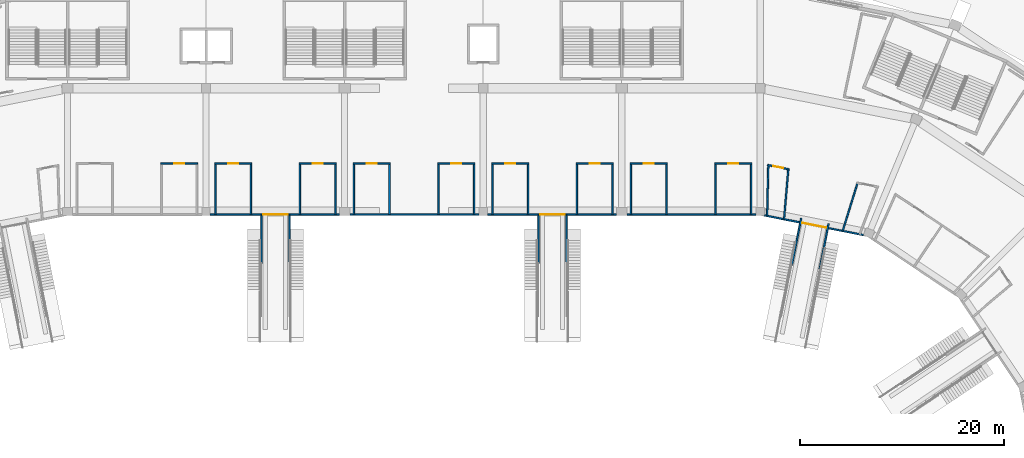
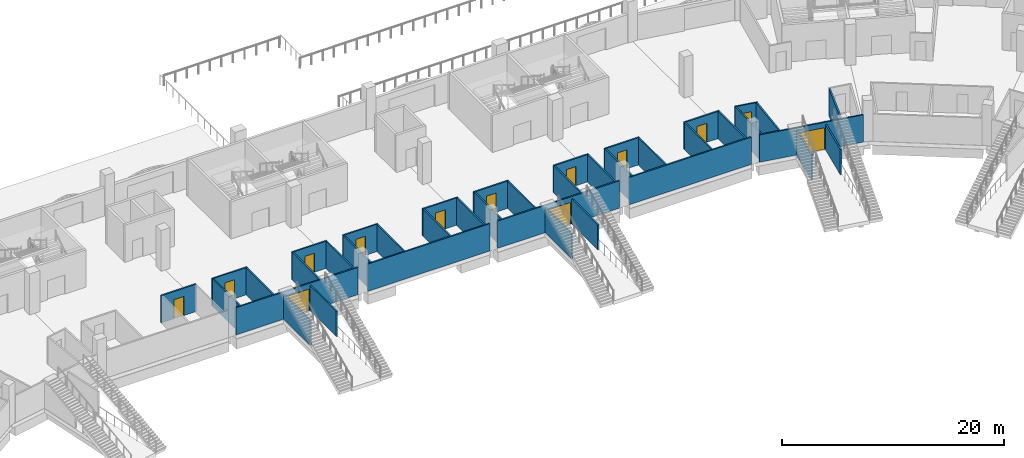
# One storey, part 38 of 175: 40 walls, 13 doors, 13 openings.
"""IFC4 building model written with IfcOpenShell, lengths in metres."""

import ifcopenshell
import ifcopenshell.guid

model = None  # the IFC model being written
_history = None  # IfcOwnerHistory: only IFC2X3 demands one
_inside = {}  # id of a spatial element -> (the spatial element, [elements in it])
_under = {}  # id of a project, library or spatial element -> (it, [spatial elements below it])
_declared = {}  # id of a project -> (the project, [libraries it declares])
_typed = {}  # id of a type object -> (the type object, [elements of that type])
_made_of = {}  # id of a material, layer set ... -> (it, [elements and type objects made of it])


def new_model(schema):
    """Start an empty IFC model of exactly this schema.

    Asked for "IFC4X3", IfcOpenShell would pick the latest addendum, in which some entities
    have other attributes; the version numbers below select the first issue.
    IFC2X3 requires an IfcOwnerHistory on every rooted entity: one is made here for all.
    """
    global model, _history
    if schema == "IFC4X3":
        model = ifcopenshell.file(schema_version=(4, 3, 0, 0))
    else:
        model = ifcopenshell.file(schema=schema)
    _inside.clear()
    _under.clear()
    _declared.clear()
    _typed.clear()
    _made_of.clear()
    _history = None
    if model.schema == "IFC2X3":
        org = make("IfcOrganization", Name="unknown")
        user = make(
            "IfcPersonAndOrganization",
            ThePerson=make("IfcPerson", FamilyName="unknown"),
            TheOrganization=org,
        )
        app = make(
            "IfcApplication",
            ApplicationDeveloper=org,
            Version="unknown",
            ApplicationFullName="unknown",
            ApplicationIdentifier="unknown",
        )
        _history = make(
            "IfcOwnerHistory",
            OwningUser=user,
            OwningApplication=app,
            ChangeAction="ADDED",
            CreationDate=0,
        )
    return model


def make(cls, **values):
    """One entity of the class cls with the attributes given. An attribute that is None is left unset."""
    return model.create_entity(
        cls, **{name: value for name, value in values.items() if value is not None}
    )


def rooted(cls, **values):
    """An entity with a GlobalId (a new one), such as an element, a storey or a relation."""
    return make(cls, GlobalId=ifcopenshell.guid.new(), OwnerHistory=_history, **values)


def si_unit(unit_type, name, prefix=None):
    """IfcSIUnit, for example si_unit("LENGTHUNIT", "METRE", prefix="MILLI")."""
    return make("IfcSIUnit", UnitType=unit_type, Prefix=prefix, Name=name)


def assignment(units):
    """IfcUnitAssignment: the units of a project."""
    return None if units is None else make("IfcUnitAssignment", Units=units)


def point(xyz):
    """IfcCartesianPoint."""
    return None if xyz is None else make("IfcCartesianPoint", Coordinates=xyz)


def direction(xyz):
    """IfcDirection."""
    return None if xyz is None else make("IfcDirection", DirectionRatios=xyz)


def frame(location, z_axis=None, x_axis=None):
    """IfcAxis2Placement3D, a coordinate frame: its origin and axes. An axis left out is left unset."""
    return make(
        "IfcAxis2Placement3D",
        Location=point(location),
        Axis=direction(z_axis),
        RefDirection=direction(x_axis),
    )


def frame_2d(location, x_axis=None):
    """IfcAxis2Placement2D, a coordinate frame in the plane: its origin and x axis."""
    return make(
        "IfcAxis2Placement2D", Location=point(location), RefDirection=direction(x_axis)
    )


def origin():
    """The frame at (0, 0, 0) with its axes left unset."""
    return frame((0.0, 0.0, 0.0))


def place(relative_to, where):
    """IfcLocalPlacement: puts the frame where relative to a parent placement (None: the world)."""
    return make(
        "IfcLocalPlacement", PlacementRelTo=relative_to, RelativePlacement=where
    )


def context(
    kind, dimensions, precision=None, world=None, true_north=None, identifier=None
):
    """IfcGeometricRepresentationContext, for example the 3D "Model" context."""
    return make(
        "IfcGeometricRepresentationContext",
        ContextIdentifier=identifier,
        ContextType=kind,
        CoordinateSpaceDimension=dimensions,
        Precision=precision,
        WorldCoordinateSystem=world,
        TrueNorth=true_north,
    )


def subcontext(parent, identifier, kind, view, scale=None):
    """IfcGeometricRepresentationSubContext, for example "Body" below "Model"."""
    return make(
        "IfcGeometricRepresentationSubContext",
        ContextIdentifier=identifier,
        ContextType=kind,
        ParentContext=parent,
        TargetScale=scale,
        TargetView=view,
    )


def project(units=None, contexts=None):
    """IfcProject with its units and contexts."""
    return rooted(
        "IfcProject",
        Name="project",
        RepresentationContexts=contexts,
        UnitsInContext=assignment(units),
    )


def spatial(cls, under=None, at=None, **own):
    """A site, building, storey or space (cls), placed at a placement, below another one or the project."""
    s = rooted(cls, ObjectPlacement=at, **own)
    if under is not None:
        _under.setdefault(under.id(), (under, []))[1].append(s)
    return s


def profile(cls, at=None, kind="AREA", **sizes):
    """A parametric profile (cls). Its sizes go by their IFC names, for example OverallWidth=200.0."""
    return make(cls, ProfileType=kind, Position=at, **sizes)


def rectangle(**sizes):
    """IfcRectangleProfileDef."""
    return profile("IfcRectangleProfileDef", **sizes)


def extrude(swept, where, along, depth):
    """IfcExtrudedAreaSolid: the profile swept, set in the frame where, extruded along a direction by depth."""
    return make(
        "IfcExtrudedAreaSolid",
        SweptArea=swept,
        Position=where,
        ExtrudedDirection=direction(along),
        Depth=depth,
    )


def shape(context_of_items, identifier, shape_type, items):
    """IfcShapeRepresentation: the items that make up one representation, for example the "Body"."""
    return make(
        "IfcShapeRepresentation",
        ContextOfItems=context_of_items,
        RepresentationIdentifier=identifier,
        RepresentationType=shape_type,
        Items=items,
    )


def material(Name=None, Category=None):
    """IfcMaterial."""
    return make("IfcMaterial", Name=Name, Category=Category)


def layer(
    of_material, thickness, ventilated=None, Name=None, Category=None, Priority=None
):
    """IfcMaterialLayer: one layer of a wall or slab, of a material (None: an air gap)."""
    return make(
        "IfcMaterialLayer",
        Material=of_material,
        LayerThickness=thickness,
        IsVentilated=ventilated,
        Name=Name,
        Category=Category,
        Priority=Priority,
    )


def layer_set(layers, Name=None):
    """IfcMaterialLayerSet."""
    return make("IfcMaterialLayerSet", MaterialLayers=layers, LayerSetName=Name)


def made_of(thing, what):
    """Note that an element or type object is made of a material, layer set ...; save() writes the relation."""
    if what is not None:
        _made_of.setdefault(what.id(), (what, []))[1].append(thing)
    return thing


def type_object(cls, material=None, **own):
    """A type object (cls), such as IfcWallType, which elements share."""
    return made_of(rooted(cls, **own), material)


def element(
    cls,
    number,
    at=None,
    inside=None,
    cuts=None,
    type_object=None,
    material=None,
    context=None,
    identifier="Body",
    shape_type=None,
    held_by="IfcProductDefinitionShape",
    body=None,
    shapes=None,
    **own,
):
    """One element of the class cls, such as IfcWall. Its Tag is "e" and its number.

    at: its placement. inside: the storey or other place that contains it. cuts: it is an
    opening in that element (IfcRelVoidsElement). A single representation is given by context,
    identifier, shape_type and body (its items); several are given by shapes. held_by: the class
    of the entity that holds the representations. save() writes the other relations.
    """
    e = rooted(cls, Tag="e%d" % number, ObjectPlacement=at, **own)
    if body is not None:
        shapes = [shape(context, identifier, shape_type, body)]
    if shapes is not None:
        e.Representation = make(held_by, Representations=shapes)
    if inside is not None:
        _inside.setdefault(inside.id(), (inside, []))[1].append(e)
    if cuts is not None:
        rooted(
            "IfcRelVoidsElement", RelatingBuildingElement=cuts, RelatedOpeningElement=e
        )
    if type_object is not None:
        _typed.setdefault(type_object.id(), (type_object, []))[1].append(e)
    return made_of(e, material)


def fill(opening, filler):
    """IfcRelFillsElement: the door or window that sits in an opening."""
    return rooted(
        "IfcRelFillsElement",
        RelatingOpeningElement=opening,
        RelatedBuildingElement=filler,
    )


def aggregate(whole, parts):
    """IfcRelAggregates: a whole, such as a stair, and the parts it consists of."""
    return rooted("IfcRelAggregates", RelatingObject=whole, RelatedObjects=parts)


def save(model, path):
    """Write the relations noted so far, then the file.

    IfcRelAggregates (storeys below a building ...), IfcRelContainedInSpatialStructure (elements
    in a storey), IfcRelDefinesByType, IfcRelAssociatesMaterial and IfcRelDeclares: one each for
    every whole, place, type object, material and project.
    """
    for whole, parts in _under.values():
        aggregate(whole, parts)
    for where, things in _inside.values():
        rooted(
            "IfcRelContainedInSpatialStructure",
            RelatedElements=things,
            RelatingStructure=where,
        )
    for kind, things in _typed.values():
        rooted("IfcRelDefinesByType", RelatedObjects=things, RelatingType=kind)
    for what, things in _made_of.values():
        rooted("IfcRelAssociatesMaterial", RelatedObjects=things, RelatingMaterial=what)
    for by, libraries in _declared.values():
        rooted("IfcRelDeclares", RelatingContext=by, RelatedDefinitions=libraries)
    model.write(path)


model = new_model("IFC4")

# Units and contexts
model_context = context("Model", 3, precision=1e-05, world=origin(), true_north=direction((0.0, 1.0)))
body_context = subcontext(model_context, "Body", "Model", "MODEL_VIEW")
ifc_project = project(units=[si_unit("LENGTHUNIT", "METRE"), si_unit("AREAUNIT", "SQUARE_METRE"), si_unit("VOLUMEUNIT", "CUBIC_METRE"), si_unit("PLANEANGLEUNIT", "RADIAN"), si_unit("MASSUNIT", "GRAM", prefix="KILO")], contexts=[model_context])

# Site, building, storey
site_placement = place(None, origin())
site = spatial("IfcSite", under=ifc_project, at=site_placement, CompositionType="ELEMENT")
building_placement = place(site_placement, origin())
building = spatial("IfcBuilding", under=site, at=building_placement, Name="Ogive Plaza Stadium", CompositionType="ELEMENT")
storey_placement = place(building_placement, origin())
storey = spatial("IfcBuildingStorey", under=building, at=storey_placement, Name="L00", CompositionType="ELEMENT", Elevation=0.0)

# Wall, opening, door
ifc_material_1 = material(Name="Masonry blockwork", Category="masonry")
ifc_layer_1 = layer(ifc_material_1, 0.14990234375)
ifc_layer_set_1 = layer_set([ifc_layer_1], Name="Blockwork wall 150")
wall_type_1 = type_object("IfcWallType", Name="Blockwork wall 150", PredefinedType="SOLIDWALL", material=ifc_layer_set_1)
wall_1_placement = place(storey_placement, frame((-24.875, 85.10009765625, 0.0), z_axis=(0.0, 0.0, 1.0), x_axis=(1.0, 0.0, 0.0)))
wall_1 = element("IfcWall", 1, at=wall_1_placement, inside=storey, type_object=wall_type_1, Name="Wall L00 B32", PredefinedType="SOLIDWALL", context=body_context, shape_type="SweptSolid", body=[
    extrude(rectangle(XDim=3.64990234375, YDim=0.14990234375, at=frame_2d((1.824951171875, 0.0))), origin(), (0.0, 0.0, 1.0), 3.0),
])
opening_1_placement = place(wall_1_placement, frame((1.324951171875, 0.0, 0.0)))
opening_1 = element("IfcOpeningElement", 2, at=opening_1_placement, cuts=wall_1, Name="Opening D0449", PredefinedType="OPENING", context=body_context, shape_type="SweptSolid", body=[
    extrude(rectangle(XDim=1.0, YDim=2.10009765625, at=frame_2d((0.5, 1.050048828125))), frame((0.0, 0.074951171875, 0.0), z_axis=(0.0, -1.0, 0.0), x_axis=(1.0, 0.0, 0.0)), (0.0, 0.0, 1.0), 0.14990234375),
])
ifc_material_2 = material(Name="Steel ASTM A572 Grade 50", Category="steel")
door_type_1 = type_object("IfcDoorType", Name="Door 1000 x 2100", OperationType="SINGLE_SWING_LEFT", PredefinedType="DOOR", material=ifc_material_2)
door_1_placement = place(opening_1_placement, origin())
door_1 = element("IfcDoor", 3, at=door_1_placement, inside=storey, type_object=door_type_1, Name="Concession Stand B32 door", OperationType="SINGLE_SWING_RIGHT", OverallHeight=2.10009765625, OverallWidth=1.0, PredefinedType="DOOR", context=body_context, shape_type="SweptSolid", body=[
    extrude(rectangle(XDim=1.0, YDim=2.10009765625, at=frame_2d((0.5, 1.050048828125))), frame((0.0, 0.02490234375, 0.0), z_axis=(0.0, -1.0, 0.0), x_axis=(1.0, 0.0, 0.0)), (0.0, 0.0, 1.0), 0.050048828125),
])
fill(opening_1, door_1)

wall_2_placement = place(storey_placement, frame((-7.625, 85.10009765625, 0.0), z_axis=(0.0, 0.0, 1.0), x_axis=(-1.0, 0.0, 0.0)))
wall_2 = element("IfcWall", 4, at=wall_2_placement, inside=storey, type_object=wall_type_1, Name="Wall L00 B33", PredefinedType="SOLIDWALL", context=body_context, shape_type="SweptSolid", body=[
    extrude(rectangle(XDim=3.64990234375, YDim=0.14990234375, at=frame_2d((1.824951171875, 0.0))), origin(), (0.0, 0.0, 1.0), 3.0),
])
opening_2_placement = place(wall_2_placement, frame((1.324951171875, 0.0, 0.0)))
opening_2 = element("IfcOpeningElement", 5, at=opening_2_placement, cuts=wall_2, Name="Opening D0450", PredefinedType="OPENING", context=body_context, shape_type="SweptSolid", body=[
    extrude(rectangle(XDim=1.0, YDim=2.10009765625, at=frame_2d((0.5, 1.050048828125))), frame((0.0, 0.074951171875, 0.0), z_axis=(0.0, -1.0, 0.0), x_axis=(1.0, 0.0, 0.0)), (0.0, 0.0, 1.0), 0.14990234375),
])
door_2_placement = place(opening_2_placement, origin())
door_2 = element("IfcDoor", 6, at=door_2_placement, inside=storey, type_object=door_type_1, Name="Concession Stand B33 door", OperationType="SINGLE_SWING_RIGHT", OverallHeight=2.10009765625, OverallWidth=1.0, PredefinedType="DOOR", context=body_context, shape_type="SweptSolid", body=[
    extrude(rectangle(XDim=1.0, YDim=2.10009765625, at=frame_2d((0.5, 1.050048828125))), frame((0.0, 0.02490234375, 0.0), z_axis=(0.0, -1.0, 0.0), x_axis=(1.0, 0.0, 0.0)), (0.0, 0.0, 1.0), 0.050048828125),
])
fill(opening_2, door_2)

# Walls
for number, where, z_axis, x_axis, name in (
    (7, (-7.699951171875, 80.10009765625, 0.0), (0.0, 0.0, 1.0), (0.0, 1.0, 0.0), "Wall L00 B33"),
    (8, (-11.199951171875, 80.10009765625, 0.0), (0.0, 0.0, 1.0), (0.0, 1.0, 0.0), "Wall L00 B33"),
):
    element("IfcWall", number, at=place(storey_placement, frame(where, z_axis=z_axis, x_axis=x_axis)), inside=storey, type_object=wall_type_1, Name=name, PredefinedType="SOLIDWALL", context=body_context, shape_type="SweptSolid", body=[
        extrude(rectangle(XDim=4.9248046875, YDim=0.14990234375, at=frame_2d((2.46240234375, 0.0))), origin(), (0.0, 0.0, 1.0), 3.0),
    ])

# Wall, opening, door
wall_3_placement = place(storey_placement, frame((-15.925048828125, 85.10009765625, 0.0), z_axis=(0.0, 0.0, 1.0), x_axis=(-1.0, 0.0, 0.0)))
wall_3 = element("IfcWall", 9, at=wall_3_placement, inside=storey, type_object=wall_type_1, Name="Wall L00 B33", PredefinedType="SOLIDWALL", context=body_context, shape_type="SweptSolid", body=[
    extrude(rectangle(XDim=3.64990234375, YDim=0.14990234375, at=frame_2d((1.824951171875, 0.0))), origin(), (0.0, 0.0, 1.0), 3.0),
])
opening_3_placement = place(wall_3_placement, frame((1.324951171875, 0.0, 0.0)))
opening_3 = element("IfcOpeningElement", 10, at=opening_3_placement, cuts=wall_3, Name="Opening D0451", PredefinedType="OPENING", context=body_context, shape_type="SweptSolid", body=[
    extrude(rectangle(XDim=1.0, YDim=2.10009765625, at=frame_2d((0.5, 1.050048828125))), frame((0.0, 0.074951171875, 0.0), z_axis=(0.0, -1.0, 0.0), x_axis=(1.0, 0.0, 0.0)), (0.0, 0.0, 1.0), 0.14990234375),
])
door_3_placement = place(opening_3_placement, origin())
door_3 = element("IfcDoor", 11, at=door_3_placement, inside=storey, type_object=door_type_1, Name="Concession Stand B33 door", OperationType="SINGLE_SWING_LEFT", OverallHeight=2.10009765625, OverallWidth=1.0, PredefinedType="DOOR", context=body_context, shape_type="SweptSolid", body=[
    extrude(rectangle(XDim=1.0, YDim=2.10009765625, at=frame_2d((0.5, 1.050048828125))), frame((0.0, 0.02490234375, 0.0), z_axis=(0.0, -1.0, 0.0), x_axis=(1.0, 0.0, 0.0)), (0.0, 0.0, 1.0), 0.050048828125),
])
fill(opening_3, door_3)

# Walls
for number, where, z_axis, x_axis, name in (
    (12, (-16.0, 80.10009765625, 0.0), (0.0, 0.0, 1.0), (0.0, 1.0, 0.0), "Wall L00 B33"),
    (13, (-19.5, 80.10009765625, 0.0), (0.0, 0.0, 1.0), (0.0, 1.0, 0.0), "Wall L00 B33"),
):
    element("IfcWall", number, at=place(storey_placement, frame(where, z_axis=z_axis, x_axis=x_axis)), inside=storey, type_object=wall_type_1, Name=name, PredefinedType="SOLIDWALL", context=body_context, shape_type="SweptSolid", body=[
        extrude(rectangle(XDim=4.9248046875, YDim=0.14990234375, at=frame_2d((2.46240234375, 0.0))), origin(), (0.0, 0.0, 1.0), 3.0),
    ])

# Wall, opening, door
wall_4_placement = place(storey_placement, frame((-5.97509765625, 85.10009765625, 0.0), z_axis=(0.0, 0.0, 1.0), x_axis=(1.0, 0.0, 0.0)))
wall_4 = element("IfcWall", 14, at=wall_4_placement, inside=storey, type_object=wall_type_1, Name="Wall L00 B34", PredefinedType="SOLIDWALL", context=body_context, shape_type="SweptSolid", body=[
    extrude(rectangle(XDim=3.650146484375, YDim=0.14990234375, at=frame_2d((1.8251953125, 0.0))), origin(), (0.0, 0.0, 1.0), 3.0),
])
opening_4_placement = place(wall_4_placement, frame((1.324951171875, 0.0, 0.0)))
opening_4 = element("IfcOpeningElement", 15, at=opening_4_placement, cuts=wall_4, Name="Opening D0452", PredefinedType="OPENING", context=body_context, shape_type="SweptSolid", body=[
    extrude(rectangle(XDim=1.0, YDim=2.10009765625, at=frame_2d((0.5, 1.050048828125))), frame((0.0, 0.074951171875, 0.0), z_axis=(0.0, -1.0, 0.0), x_axis=(1.0, 0.0, 0.0)), (0.0, 0.0, 1.0), 0.14990234375),
])
door_4_placement = place(opening_4_placement, origin())
door_4 = element("IfcDoor", 16, at=door_4_placement, inside=storey, type_object=door_type_1, Name="Concession Stand B34 door", OperationType="SINGLE_SWING_LEFT", OverallHeight=2.10009765625, OverallWidth=1.0, PredefinedType="DOOR", context=body_context, shape_type="SweptSolid", body=[
    extrude(rectangle(XDim=1.0, YDim=2.10009765625, at=frame_2d((0.5, 1.050048828125))), frame((0.0, 0.02490234375, 0.0), z_axis=(0.0, -1.0, 0.0), x_axis=(1.0, 0.0, 0.0)), (0.0, 0.0, 1.0), 0.050048828125),
])
fill(opening_4, door_4)

# Walls
for number, where, z_axis, x_axis, name in (
    (17, (-5.89990234375, 80.10009765625, 0.0), (0.0, 0.0, 1.0), (0.0, 1.0, 0.0), "Wall L00 B34"),
    (18, (-2.39990234375, 80.10009765625, 0.0), (0.0, 0.0, 1.0), (0.0, 1.0, 0.0), "Wall L00 B34"),
):
    element("IfcWall", number, at=place(storey_placement, frame(where, z_axis=z_axis, x_axis=x_axis)), inside=storey, type_object=wall_type_1, Name=name, PredefinedType="SOLIDWALL", context=body_context, shape_type="SweptSolid", body=[
        extrude(rectangle(XDim=4.9248046875, YDim=0.14990234375, at=frame_2d((2.46240234375, 0.0))), origin(), (0.0, 0.0, 1.0), 3.0),
    ])

# Wall, opening, door
wall_5_placement = place(storey_placement, frame((2.324951171875, 85.10009765625, 0.0), z_axis=(0.0, 0.0, 1.0), x_axis=(1.0, 0.0, 0.0)))
wall_5 = element("IfcWall", 19, at=wall_5_placement, inside=storey, type_object=wall_type_1, Name="Wall L00 B34", PredefinedType="SOLIDWALL", context=body_context, shape_type="SweptSolid", body=[
    extrude(rectangle(XDim=3.650146484375, YDim=0.14990234375, at=frame_2d((1.8251953125, 0.0))), origin(), (0.0, 0.0, 1.0), 3.0),
])
opening_5_placement = place(wall_5_placement, frame((1.324951171875, 0.0, 0.0)))
opening_5 = element("IfcOpeningElement", 20, at=opening_5_placement, cuts=wall_5, Name="Opening D0453", PredefinedType="OPENING", context=body_context, shape_type="SweptSolid", body=[
    extrude(rectangle(XDim=1.0, YDim=2.10009765625, at=frame_2d((0.5, 1.050048828125))), frame((0.0, 0.074951171875, 0.0), z_axis=(0.0, -1.0, 0.0), x_axis=(1.0, 0.0, 0.0)), (0.0, 0.0, 1.0), 0.14990234375),
])
door_5_placement = place(opening_5_placement, origin())
door_5 = element("IfcDoor", 21, at=door_5_placement, inside=storey, type_object=door_type_1, Name="Concession Stand B34 door", OperationType="SINGLE_SWING_RIGHT", OverallHeight=2.10009765625, OverallWidth=1.0, PredefinedType="DOOR", context=body_context, shape_type="SweptSolid", body=[
    extrude(rectangle(XDim=1.0, YDim=2.10009765625, at=frame_2d((0.5, 1.050048828125))), frame((0.0, 0.02490234375, 0.0), z_axis=(0.0, -1.0, 0.0), x_axis=(1.0, 0.0, 0.0)), (0.0, 0.0, 1.0), 0.050048828125),
])
fill(opening_5, door_5)

# Walls
for number, where, z_axis, x_axis, name in (
    (22, (2.39990234375, 80.10009765625, 0.0), (0.0, 0.0, 1.0), (0.0, 1.0, 0.0), "Wall L00 B34"),
    (23, (5.89990234375, 80.10009765625, 0.0), (0.0, 0.0, 1.0), (0.0, 1.0, 0.0), "Wall L00 B34"),
):
    element("IfcWall", number, at=place(storey_placement, frame(where, z_axis=z_axis, x_axis=x_axis)), inside=storey, type_object=wall_type_1, Name=name, PredefinedType="SOLIDWALL", context=body_context, shape_type="SweptSolid", body=[
        extrude(rectangle(XDim=4.9248046875, YDim=0.14990234375, at=frame_2d((2.46240234375, 0.0))), origin(), (0.0, 0.0, 1.0), 3.0),
    ])

# Wall, opening, door
wall_6_placement = place(storey_placement, frame((19.574951171875, 85.10009765625, 0.0), z_axis=(0.0, 0.0, 1.0), x_axis=(-1.0, 0.0, 0.0)))
wall_6 = element("IfcWall", 24, at=wall_6_placement, inside=storey, type_object=wall_type_1, Name="Wall L00 B35", PredefinedType="SOLIDWALL", context=body_context, shape_type="SweptSolid", body=[
    extrude(rectangle(XDim=3.64990234375, YDim=0.14990234375, at=frame_2d((1.824951171875, 0.0))), origin(), (0.0, 0.0, 1.0), 3.0),
])
opening_6_placement = place(wall_6_placement, frame((1.324951171875, 0.0, 0.0)))
opening_6 = element("IfcOpeningElement", 25, at=opening_6_placement, cuts=wall_6, Name="Opening D0454", PredefinedType="OPENING", context=body_context, shape_type="SweptSolid", body=[
    extrude(rectangle(XDim=1.0, YDim=2.10009765625, at=frame_2d((0.5, 1.050048828125))), frame((0.0, 0.074951171875, 0.0), z_axis=(0.0, -1.0, 0.0), x_axis=(1.0, 0.0, 0.0)), (0.0, 0.0, 1.0), 0.14990234375),
])
door_6_placement = place(opening_6_placement, origin())
door_6 = element("IfcDoor", 26, at=door_6_placement, inside=storey, type_object=door_type_1, Name="Concession Stand B35 door", OperationType="SINGLE_SWING_RIGHT", OverallHeight=2.10009765625, OverallWidth=1.0, PredefinedType="DOOR", context=body_context, shape_type="SweptSolid", body=[
    extrude(rectangle(XDim=1.0, YDim=2.10009765625, at=frame_2d((0.5, 1.050048828125))), frame((0.0, 0.02490234375, 0.0), z_axis=(0.0, -1.0, 0.0), x_axis=(1.0, 0.0, 0.0)), (0.0, 0.0, 1.0), 0.050048828125),
])
fill(opening_6, door_6)

# Walls
for number, where, z_axis, x_axis, name in (
    (27, (19.5, 80.10009765625, 0.0), (0.0, 0.0, 1.0), (0.0, 1.0, 0.0), "Wall L00 B35"),
    (28, (16.0, 80.10009765625, 0.0), (0.0, 0.0, 1.0), (0.0, 1.0, 0.0), "Wall L00 B35"),
):
    element("IfcWall", number, at=place(storey_placement, frame(where, z_axis=z_axis, x_axis=x_axis)), inside=storey, type_object=wall_type_1, Name=name, PredefinedType="SOLIDWALL", context=body_context, shape_type="SweptSolid", body=[
        extrude(rectangle(XDim=4.9248046875, YDim=0.14990234375, at=frame_2d((2.46240234375, 0.0))), origin(), (0.0, 0.0, 1.0), 3.0),
    ])

# Wall, opening, door
wall_7_placement = place(storey_placement, frame((11.27490234375, 85.10009765625, 0.0), z_axis=(0.0, 0.0, 1.0), x_axis=(-1.0, 0.0, 0.0)))
wall_7 = element("IfcWall", 29, at=wall_7_placement, inside=storey, type_object=wall_type_1, Name="Wall L00 B35", PredefinedType="SOLIDWALL", context=body_context, shape_type="SweptSolid", body=[
    extrude(rectangle(XDim=3.64990234375, YDim=0.14990234375, at=frame_2d((1.824951171875, 0.0))), origin(), (0.0, 0.0, 1.0), 3.0),
])
opening_7_placement = place(wall_7_placement, frame((1.324951171875, 0.0, 0.0)))
opening_7 = element("IfcOpeningElement", 30, at=opening_7_placement, cuts=wall_7, Name="Opening D0455", PredefinedType="OPENING", context=body_context, shape_type="SweptSolid", body=[
    extrude(rectangle(XDim=1.0, YDim=2.10009765625, at=frame_2d((0.5, 1.050048828125))), frame((0.0, 0.074951171875, 0.0), z_axis=(0.0, -1.0, 0.0), x_axis=(1.0, 0.0, 0.0)), (0.0, 0.0, 1.0), 0.14990234375),
])
door_7_placement = place(opening_7_placement, origin())
door_7 = element("IfcDoor", 31, at=door_7_placement, inside=storey, type_object=door_type_1, Name="Concession Stand B35 door", OperationType="SINGLE_SWING_LEFT", OverallHeight=2.10009765625, OverallWidth=1.0, PredefinedType="DOOR", context=body_context, shape_type="SweptSolid", body=[
    extrude(rectangle(XDim=1.0, YDim=2.10009765625, at=frame_2d((0.5, 1.050048828125))), frame((0.0, 0.02490234375, 0.0), z_axis=(0.0, -1.0, 0.0), x_axis=(1.0, 0.0, 0.0)), (0.0, 0.0, 1.0), 0.050048828125),
])
fill(opening_7, door_7)

# Walls
for number, where, z_axis, x_axis, name in (
    (32, (11.199951171875, 80.10009765625, 0.0), (0.0, 0.0, 1.0), (0.0, 1.0, 0.0), "Wall L00 B35"),
    (33, (7.699951171875, 80.10009765625, 0.0), (0.0, 0.0, 1.0), (0.0, 1.0, 0.0), "Wall L00 B35"),
):
    element("IfcWall", number, at=place(storey_placement, frame(where, z_axis=z_axis, x_axis=x_axis)), inside=storey, type_object=wall_type_1, Name=name, PredefinedType="SOLIDWALL", context=body_context, shape_type="SweptSolid", body=[
        extrude(rectangle(XDim=4.9248046875, YDim=0.14990234375, at=frame_2d((2.46240234375, 0.0))), origin(), (0.0, 0.0, 1.0), 3.0),
    ])

# Wall, opening, door
wall_8_placement = place(storey_placement, frame((21.22509765625, 85.10009765625, 0.0), z_axis=(0.0, 0.0, 1.0), x_axis=(1.0, 0.0, 0.0)))
wall_8 = element("IfcWall", 34, at=wall_8_placement, inside=storey, type_object=wall_type_1, Name="Wall L00 B36", PredefinedType="SOLIDWALL", context=body_context, shape_type="SweptSolid", body=[
    extrude(rectangle(XDim=3.64990234375, YDim=0.14990234375, at=frame_2d((1.824951171875, 0.0))), origin(), (0.0, 0.0, 1.0), 3.0),
])
opening_8_placement = place(wall_8_placement, frame((1.324951171875, 0.0, 0.0)))
opening_8 = element("IfcOpeningElement", 35, at=opening_8_placement, cuts=wall_8, Name="Opening D0456", PredefinedType="OPENING", context=body_context, shape_type="SweptSolid", body=[
    extrude(rectangle(XDim=1.0, YDim=2.10009765625, at=frame_2d((0.5, 1.050048828125))), frame((0.0, 0.074951171875, 0.0), z_axis=(0.0, -1.0, 0.0), x_axis=(1.0, 0.0, 0.0)), (0.0, 0.0, 1.0), 0.14990234375),
])
door_8_placement = place(opening_8_placement, origin())
door_8 = element("IfcDoor", 36, at=door_8_placement, inside=storey, type_object=door_type_1, Name="Concession Stand B36 door", OperationType="SINGLE_SWING_LEFT", OverallHeight=2.10009765625, OverallWidth=1.0, PredefinedType="DOOR", context=body_context, shape_type="SweptSolid", body=[
    extrude(rectangle(XDim=1.0, YDim=2.10009765625, at=frame_2d((0.5, 1.050048828125))), frame((0.0, 0.02490234375, 0.0), z_axis=(0.0, -1.0, 0.0), x_axis=(1.0, 0.0, 0.0)), (0.0, 0.0, 1.0), 0.050048828125),
])
fill(opening_8, door_8)

# Walls
for number, where, z_axis, x_axis, name in (
    (37, (21.300048828125, 80.10009765625, 0.0), (0.0, 0.0, 1.0), (0.0, 1.0, 0.0), "Wall L00 B36"),
    (38, (24.800048828125, 80.10009765625, 0.0), (0.0, 0.0, 1.0), (0.0, 1.0, 0.0), "Wall L00 B36"),
):
    element("IfcWall", number, at=place(storey_placement, frame(where, z_axis=z_axis, x_axis=x_axis)), inside=storey, type_object=wall_type_1, Name=name, PredefinedType="SOLIDWALL", context=body_context, shape_type="SweptSolid", body=[
        extrude(rectangle(XDim=4.9248046875, YDim=0.14990234375, at=frame_2d((2.46240234375, 0.0))), origin(), (0.0, 0.0, 1.0), 3.0),
    ])

# Wall, opening, door
wall_9_placement = place(storey_placement, frame((29.52490234375, 85.10009765625, 0.0), z_axis=(0.0, 0.0, 1.0), x_axis=(1.0, 0.0, 0.0)))
wall_9 = element("IfcWall", 39, at=wall_9_placement, inside=storey, type_object=wall_type_1, Name="Wall L00 B36", PredefinedType="SOLIDWALL", context=body_context, shape_type="SweptSolid", body=[
    extrude(rectangle(XDim=3.650146484375, YDim=0.14990234375, at=frame_2d((1.8251953125, 0.0))), origin(), (0.0, 0.0, 1.0), 3.0),
])
opening_9_placement = place(wall_9_placement, frame((1.324951171875, 0.0, 0.0)))
opening_9 = element("IfcOpeningElement", 40, at=opening_9_placement, cuts=wall_9, Name="Opening D0457", PredefinedType="OPENING", context=body_context, shape_type="SweptSolid", body=[
    extrude(rectangle(XDim=1.0, YDim=2.10009765625, at=frame_2d((0.5, 1.050048828125))), frame((0.0, 0.074951171875, 0.0), z_axis=(0.0, -1.0, 0.0), x_axis=(1.0, 0.0, 0.0)), (0.0, 0.0, 1.0), 0.14990234375),
])
door_9_placement = place(opening_9_placement, origin())
door_9 = element("IfcDoor", 41, at=door_9_placement, inside=storey, type_object=door_type_1, Name="Concession Stand B36 door", OperationType="SINGLE_SWING_RIGHT", OverallHeight=2.10009765625, OverallWidth=1.0, PredefinedType="DOOR", context=body_context, shape_type="SweptSolid", body=[
    extrude(rectangle(XDim=1.0, YDim=2.10009765625, at=frame_2d((0.5, 1.050048828125))), frame((0.0, 0.02490234375, 0.0), z_axis=(0.0, -1.0, 0.0), x_axis=(1.0, 0.0, 0.0)), (0.0, 0.0, 1.0), 0.050048828125),
])
fill(opening_9, door_9)

# Walls
for number, where, z_axis, x_axis, name in (
    (42, (29.60009765625, 80.10009765625, 0.0), (0.0, 0.0, 1.0), (0.0, 1.0, 0.0), "Wall L00 B36"),
    (43, (33.10009765625, 80.10009765625, 0.0), (0.0, 0.0, 1.0), (0.0, 1.0, 0.0), "Wall L00 B36"),
):
    element("IfcWall", number, at=place(storey_placement, frame(where, z_axis=z_axis, x_axis=x_axis)), inside=storey, type_object=wall_type_1, Name=name, PredefinedType="SOLIDWALL", context=body_context, shape_type="SweptSolid", body=[
        extrude(rectangle(XDim=4.9248046875, YDim=0.14990234375, at=frame_2d((2.46240234375, 0.0))), origin(), (0.0, 0.0, 1.0), 3.0),
    ])
wall_10_placement = place(storey_placement, frame((42.088623046875, 78.490966796875, 0.0), z_axis=(0.0, 0.0, 1.0), x_axis=(0.297150057793, 0.954830792944, 0.0)))
element("IfcWall", 44, at=wall_10_placement, inside=storey, type_object=wall_type_1, Name="Wall L00 B37", PredefinedType="SOLIDWALL", context=body_context, shape_type="SweptSolid", body=[
    extrude(rectangle(XDim=4.857421875, YDim=0.14990234375, at=frame_2d((2.4287109375, 0.0))), origin(), (0.0, 0.0, 1.0), 3.0),
])

# Wall, opening, door
wall_11_placement = place(storey_placement, frame((36.83544921875, 84.5361328125, 0.0), z_axis=(0.0, 0.0, 1.0), x_axis=(-0.980792464832, 0.19505419998, 0.0)))
wall_11 = element("IfcWall", 45, at=wall_11_placement, inside=storey, type_object=wall_type_1, Name="Wall L00 B37", PredefinedType="SOLIDWALL", context=body_context, shape_type="SweptSolid", body=[
    extrude(rectangle(XDim=2.16650390625, YDim=0.14990234375, at=frame_2d((1.083251953125, 0.0))), origin(), (0.0, 0.0, 1.0), 3.0),
])
opening_10_placement = place(wall_11_placement, frame((0.583251953125, 0.0, 0.0)))
opening_10 = element("IfcOpeningElement", 46, at=opening_10_placement, cuts=wall_11, Name="Opening D0459", PredefinedType="OPENING", context=body_context, shape_type="SweptSolid", body=[
    extrude(rectangle(XDim=1.0, YDim=2.10009765625, at=frame_2d((0.5, 1.050048828125))), frame((0.0, 0.074951171875, 0.0), z_axis=(0.0, -1.0, 0.0), x_axis=(1.0, 0.0, 0.0)), (0.0, 0.0, 1.0), 0.14990234375),
])
door_10_placement = place(opening_10_placement, origin())
door_10 = element("IfcDoor", 47, at=door_10_placement, inside=storey, type_object=door_type_1, Name="Concession Stand B37 door", OperationType="SINGLE_SWING_LEFT", OverallHeight=2.10009765625, OverallWidth=1.0, PredefinedType="DOOR", context=body_context, shape_type="SweptSolid", body=[
    extrude(rectangle(XDim=1.0, YDim=2.10009765625, at=frame_2d((0.5, 1.050048828125))), frame((0.0, 0.02490234375, 0.0), z_axis=(0.0, -1.0, 0.0), x_axis=(1.0, 0.0, 0.0)), (0.0, 0.0, 1.0), 0.050048828125),
])
fill(opening_10, door_10)

# Walls
wall_12_placement = place(storey_placement, frame((36.3330078125, 79.635986328125, 0.0), z_axis=(0.0, 0.0, 1.0), x_axis=(0.085651910167, 0.996325122781, 0.0)))
element("IfcWall", 48, at=wall_12_placement, inside=storey, type_object=wall_type_1, Name="Wall L00 B37", PredefinedType="SOLIDWALL", context=body_context, shape_type="SweptSolid", body=[
    extrude(rectangle(XDim=4.85986328125, YDim=0.14990234375, at=frame_2d((2.429931640625, 0.0))), origin(), (0.0, 0.0, 1.0), 3.0),
])
wall_13_placement = place(storey_placement, frame((34.6689453125, 79.967041015625, 0.0), z_axis=(0.0, 0.0, 1.0), x_axis=(0.024351431726, 0.999703459918, 0.0)))
element("IfcWall", 49, at=wall_13_placement, inside=storey, type_object=wall_type_1, Name="Wall L00 B37", PredefinedType="SOLIDWALL", context=body_context, shape_type="SweptSolid", body=[
    extrude(rectangle(XDim=4.902587890625, YDim=0.14990234375, at=frame_2d((2.451171875, 0.0))), origin(), (0.0, 0.0, 1.0), 3.0),
])

# Wall, opening, door
wall_14_placement = place(storey_placement, frame((-20.0, 80.10009765625, 0.0), z_axis=(0.0, 0.0, 1.0), x_axis=(1.0, 0.0, 0.0)))
wall_14 = element("IfcWall", 50, at=wall_14_placement, inside=storey, type_object=wall_type_1, Name="Stand rear wall B33", PredefinedType="SOLIDWALL", context=body_context, shape_type="SweptSolid", body=[
    extrude(rectangle(XDim=12.699951171875, YDim=0.14990234375, at=frame_2d((6.35009765625, 0.0))), origin(), (0.0, 0.0, 1.0), 3.0),
])
opening_11_placement = place(wall_14_placement, frame((5.199951171875, 0.0, 0.0)))
opening_11 = element("IfcOpeningElement", 51, at=opening_11_placement, cuts=wall_14, Name="Opening D1053", PredefinedType="OPENING", context=body_context, shape_type="SweptSolid", body=[
    extrude(rectangle(XDim=2.39990234375, YDim=2.39990234375, at=frame_2d((1.199951171875, 1.199951171875))), frame((0.0, 0.074951171875, 0.0), z_axis=(0.0, -1.0, 0.0), x_axis=(1.0, 0.0, 0.0)), (0.0, 0.0, 1.0), 0.14990234375),
])
ifc_material_3 = material(Name="Steel ASTM A572 Grade 50", Category="steel")
door_type_2 = type_object("IfcDoorType", Name="Service door pair 2400 x 2400", OperationType="DOUBLE_DOOR_SINGLE_SWING", PredefinedType="DOOR", material=ifc_material_3)
door_11_placement = place(opening_11_placement, origin())
door_11 = element("IfcDoor", 52, at=door_11_placement, inside=storey, type_object=door_type_2, Name="Vomitory portal door B33", OperationType="DOUBLE_DOOR_SINGLE_SWING", OverallHeight=2.39990234375, OverallWidth=2.39990234375, PredefinedType="DOOR", context=body_context, shape_type="SweptSolid", body=[
    extrude(rectangle(XDim=2.39990234375, YDim=2.39990234375, at=frame_2d((1.199951171875, 1.199951171875))), frame((0.0, 0.02490234375, 0.0), z_axis=(0.0, -1.0, 0.0), x_axis=(1.0, 0.0, 0.0)), (0.0, 0.0, 1.0), 0.050048828125),
])
fill(opening_11, door_11)

# Wall
wall_15_placement = place(storey_placement, frame((-6.300048828125, 80.10009765625, 0.0), z_axis=(0.0, 0.0, 1.0), x_axis=(1.0, 0.0, 0.0)))
element("IfcWall", 53, at=wall_15_placement, inside=storey, type_object=wall_type_1, Name="Stand rear wall B34", PredefinedType="SOLIDWALL", context=body_context, shape_type="SweptSolid", body=[
    extrude(rectangle(XDim=12.699951171875, YDim=0.14990234375, at=frame_2d((6.35009765625, 0.0))), origin(), (0.0, 0.0, 1.0), 3.0),
])

# Wall, opening, door
wall_16_placement = place(storey_placement, frame((7.199951171875, 80.10009765625, 0.0), z_axis=(0.0, 0.0, 1.0), x_axis=(1.0, 0.0, 0.0)))
wall_16 = element("IfcWall", 54, at=wall_16_placement, inside=storey, type_object=wall_type_1, Name="Stand rear wall B35", PredefinedType="SOLIDWALL", context=body_context, shape_type="SweptSolid", body=[
    extrude(rectangle(XDim=12.699951171875, YDim=0.14990234375, at=frame_2d((6.35009765625, 0.0))), origin(), (0.0, 0.0, 1.0), 3.0),
])
opening_12_placement = place(wall_16_placement, frame((5.199951171875, 0.0, 0.0)))
opening_12 = element("IfcOpeningElement", 55, at=opening_12_placement, cuts=wall_16, Name="Opening D1054", PredefinedType="OPENING", context=body_context, shape_type="SweptSolid", body=[
    extrude(rectangle(XDim=2.39990234375, YDim=2.39990234375, at=frame_2d((1.199951171875, 1.199951171875))), frame((0.0, 0.074951171875, 0.0), z_axis=(0.0, -1.0, 0.0), x_axis=(1.0, 0.0, 0.0)), (0.0, 0.0, 1.0), 0.14990234375),
])
door_12_placement = place(opening_12_placement, origin())
door_12 = element("IfcDoor", 56, at=door_12_placement, inside=storey, type_object=door_type_2, Name="Vomitory portal door B35", OperationType="DOUBLE_DOOR_SINGLE_SWING", OverallHeight=2.39990234375, OverallWidth=2.39990234375, PredefinedType="DOOR", context=body_context, shape_type="SweptSolid", body=[
    extrude(rectangle(XDim=2.39990234375, YDim=2.39990234375, at=frame_2d((1.199951171875, 1.199951171875))), frame((0.0, 0.02490234375, 0.0), z_axis=(0.0, -1.0, 0.0), x_axis=(1.0, 0.0, 0.0)), (0.0, 0.0, 1.0), 0.050048828125),
])
fill(opening_12, door_12)

# Wall
wall_17_placement = place(storey_placement, frame((20.89990234375, 80.10009765625, 0.0), z_axis=(0.0, 0.0, 1.0), x_axis=(1.0, 0.0, 0.0)))
element("IfcWall", 57, at=wall_17_placement, inside=storey, type_object=wall_type_1, Name="Stand rear wall B36", PredefinedType="SOLIDWALL", context=body_context, shape_type="SweptSolid", body=[
    extrude(rectangle(XDim=12.7001953125, YDim=0.14990234375, at=frame_2d((6.35009765625, 0.0))), origin(), (0.0, 0.0, 1.0), 3.0),
])

# Wall, opening, door
wall_18_placement = place(storey_placement, frame((34.39990234375, 80.0205078125, 0.0), z_axis=(0.0, 0.0, 1.0), x_axis=(0.980784963798, -0.195091913691, 0.0)))
wall_18 = element("IfcWall", 58, at=wall_18_placement, inside=storey, type_object=wall_type_1, Name="Stand rear wall B37", PredefinedType="SOLIDWALL", context=body_context, shape_type="SweptSolid", body=[
    extrude(rectangle(XDim=9.90234375, YDim=0.14990234375, at=frame_2d((4.951171875, 0.0))), origin(), (0.0, 0.0, 1.0), 3.0),
])
opening_13_placement = place(wall_18_placement, frame((3.806396484375, 0.0, 0.0)))
opening_13 = element("IfcOpeningElement", 59, at=opening_13_placement, cuts=wall_18, Name="Opening D1055", PredefinedType="OPENING", context=body_context, shape_type="SweptSolid", body=[
    extrude(rectangle(XDim=2.39990234375, YDim=2.39990234375, at=frame_2d((1.199951171875, 1.199951171875))), frame((0.0, 0.074951171875, 0.0), z_axis=(0.0, -1.0, 0.0), x_axis=(1.0, 0.0, 0.0)), (0.0, 0.0, 1.0), 0.14990234375),
])
door_13_placement = place(opening_13_placement, origin())
door_13 = element("IfcDoor", 60, at=door_13_placement, inside=storey, type_object=door_type_2, Name="Vomitory portal door B37", OperationType="DOUBLE_DOOR_SINGLE_SWING", OverallHeight=2.39990234375, OverallWidth=2.39990234375, PredefinedType="DOOR", context=body_context, shape_type="SweptSolid", body=[
    extrude(rectangle(XDim=2.39990234375, YDim=2.39990234375, at=frame_2d((1.199951171875, 1.199951171875))), frame((0.0, 0.02490234375, 0.0), z_axis=(0.0, -1.0, 0.0), x_axis=(1.0, 0.0, 0.0)), (0.0, 0.0, 1.0), 0.050048828125),
])
fill(opening_13, door_13)

# Walls
ifc_material_4 = material(Name="Concrete C40/50", Category="concrete")
ifc_layer_2 = layer(ifc_material_4, 0.14990234375)
ifc_layer_set_2 = layer_set([ifc_layer_2], Name="Concrete C40/50")
wall_type_2 = type_object("IfcWallType", Name="Vomitory wall 150", PredefinedType="SOLIDWALL", material=ifc_layer_set_2)
for number, where, z_axis, x_axis, name in (
    (61, (-12.22998046875, 75.300048828125, 0.0), (0.0, 0.0, 1.0), (0.0, 1.0, 0.0), "Vomitory tunnel wall B33"),
    (62, (-14.969970703125, 75.300048828125, 0.0), (0.0, 0.0, 1.0), (0.0, 1.0, 0.0), "Vomitory tunnel wall B33"),
    (63, (14.969970703125, 75.300048828125, 0.0), (0.0, 0.0, 1.0), (0.0, 1.0, 0.0), "Vomitory tunnel wall B35"),
    (64, (12.22998046875, 75.300048828125, 0.0), (0.0, 0.0, 1.0), (0.0, 1.0, 0.0), "Vomitory tunnel wall B35"),
):
    element("IfcWall", number, at=place(storey_placement, frame(where, z_axis=z_axis, x_axis=x_axis)), inside=storey, type_object=wall_type_2, Name=name, PredefinedType="SOLIDWALL", context=body_context, shape_type="SweptSolid", body=[
        extrude(rectangle(XDim=4.724853515625, YDim=0.14990234375, at=frame_2d((2.3623046875, 0.0))), origin(), (0.0, 0.0, 1.0), 2.75),
    ])
for number, where, z_axis, x_axis, name in (
    (65, (39.791748046875, 74.5947265625, 0.0), (0.0, 0.0, 1.0), (0.195107090954, 0.980781944705, 0.0), "Vomitory tunnel wall B37"),
    (66, (37.1044921875, 75.129150390625, 0.0), (0.0, 0.0, 1.0), (0.195057122146, 0.980791883684, 0.0), "Vomitory tunnel wall B37"),
):
    element("IfcWall", number, at=place(storey_placement, frame(where, z_axis=z_axis, x_axis=x_axis)), inside=storey, type_object=wall_type_2, Name=name, PredefinedType="SOLIDWALL", context=body_context, shape_type="SweptSolid", body=[
        extrude(rectangle(XDim=4.699951171875, YDim=0.14990234375, at=frame_2d((2.35009765625, 0.0))), origin(), (0.0, 0.0, 1.0), 2.75),
    ])

save(model, "model.ifc")
